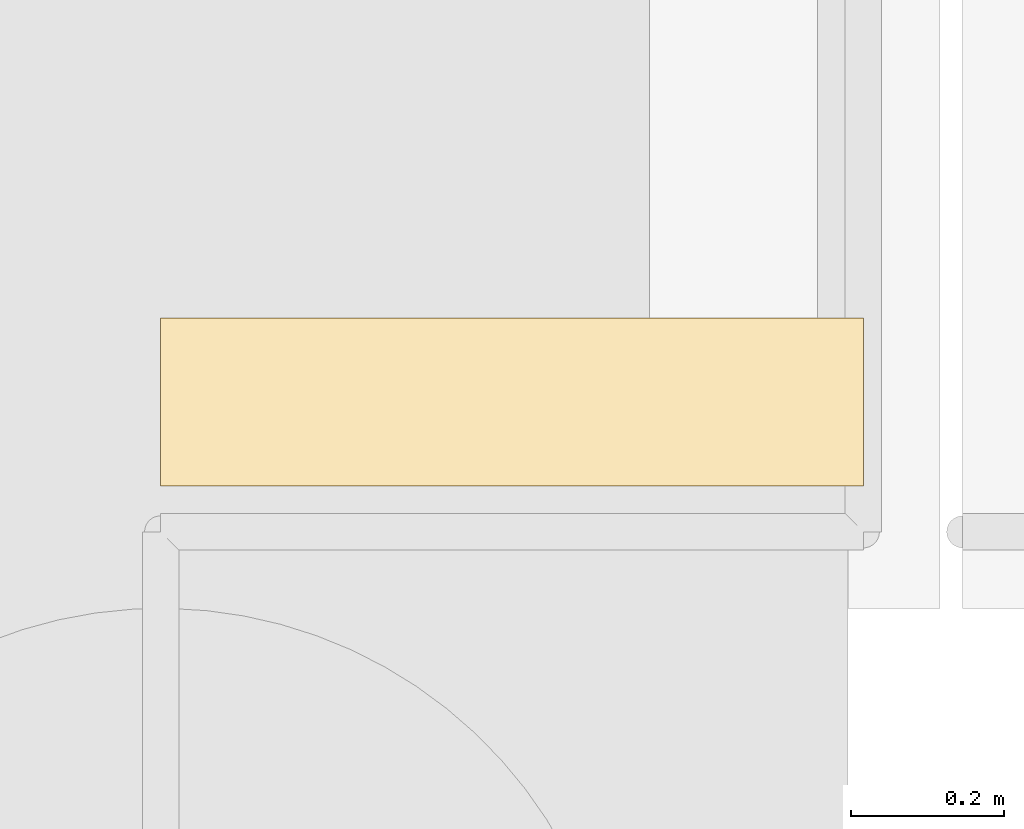
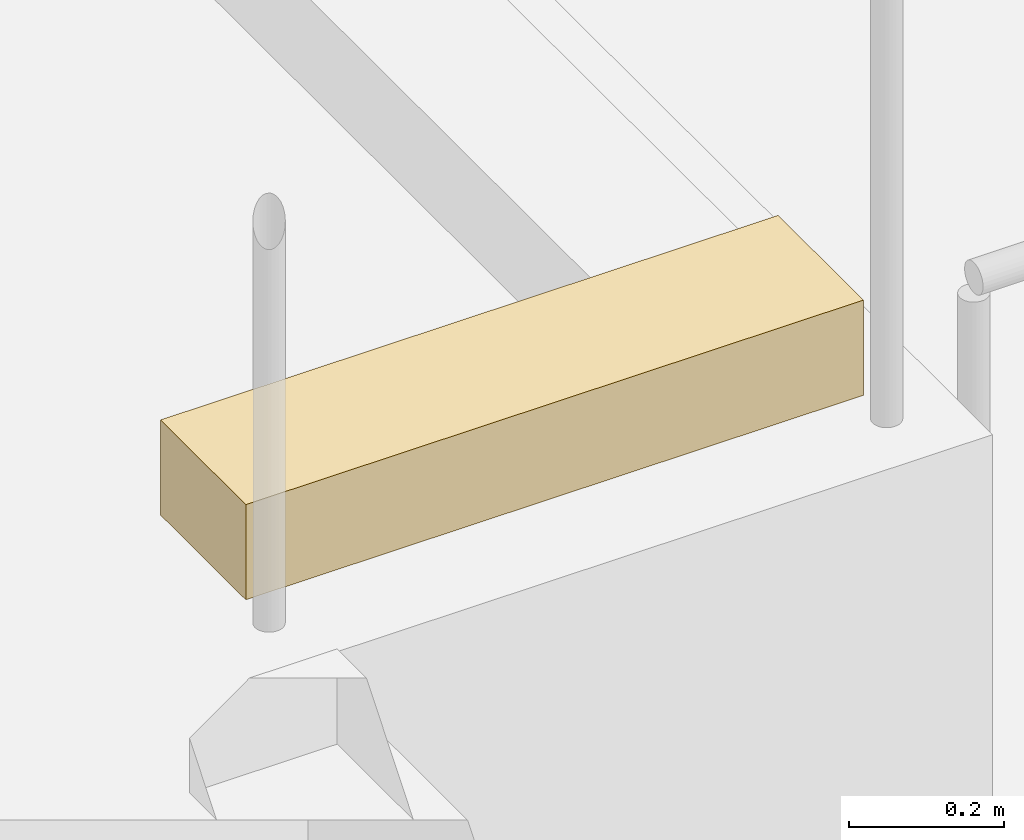
# One storey, part 208 of 212: 1 covering.
"""IFC4 building model written with IfcOpenShell, lengths in metres."""

from ifc_helpers import new_model, si_unit, direction, frame, origin, origin_2d, place, context, subcontext, project, spatial, rectangle, extrude, material, layer, layer_set, type_object, element, save


model = new_model("IFC4")

# Units and contexts
model_context = context("Model", 3, precision=1e-05, world=origin(), true_north=direction((0.0, 1.0)))
body_context = subcontext(model_context, "Body", "Model", "MODEL_VIEW")
ifc_project = project(units=[si_unit("LENGTHUNIT", "METRE"), si_unit("AREAUNIT", "SQUARE_METRE"), si_unit("VOLUMEUNIT", "CUBIC_METRE"), si_unit("PLANEANGLEUNIT", "RADIAN"), si_unit("MASSUNIT", "GRAM", prefix="KILO")], contexts=[model_context])

# Site, building, storey
site_placement = place(None, origin())
site = spatial("IfcSite", under=ifc_project, at=site_placement, CompositionType="ELEMENT")
building_placement = place(site_placement, origin())
building = spatial("IfcBuilding", under=site, at=building_placement, Name="Catenary Quay Ferry Terminal", CompositionType="ELEMENT")
storey_placement = place(building_placement, origin())
storey = spatial("IfcBuildingStorey", under=building, at=storey_placement, Name="L00", CompositionType="ELEMENT", Elevation=0.0)

# Covering
ifc_material = material(Name="Precast concrete C35/45", Category="concrete")
ifc_layer = layer(ifc_material, 0.14990234375)
ifc_layer_set = layer_set([ifc_layer], Name="KB1")
covering_type = type_object("IfcCoveringType", Name="KB1", PredefinedType="FLOORING", material=ifc_layer_set)
covering_placement = place(storey_placement, frame((118.06005859375, 108.27001953125, 0.0), z_axis=(0.0, 0.0, 1.0), x_axis=(1.0, 0.0, 0.0)))
element("IfcCovering", 1, at=covering_placement, inside=storey, type_object=covering_type, Name="Edge kerb upstand", PredefinedType="FLOORING", context=body_context, shape_type="SweptSolid", body=[
    extrude(rectangle(XDim=0.919921875, YDim=0.219970703125, at=origin_2d()), origin(), (0.0, 0.0, 1.0), 0.14990234375),
])

save(model, "model.ifc")
